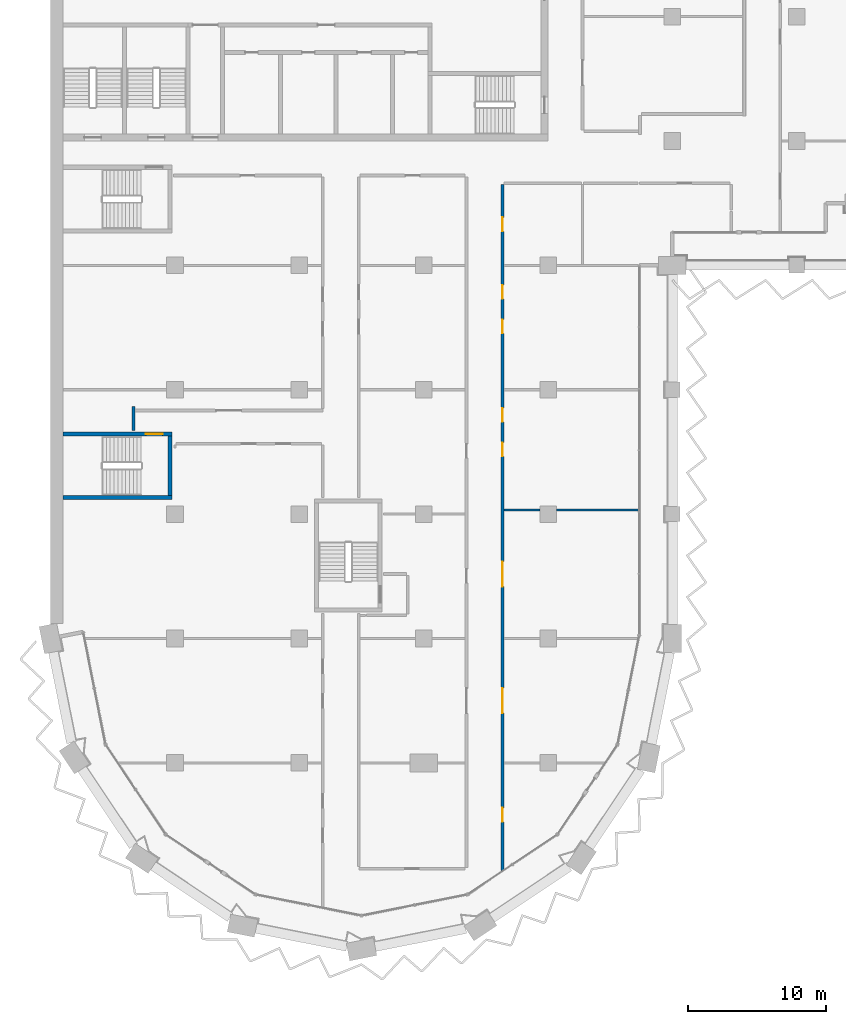
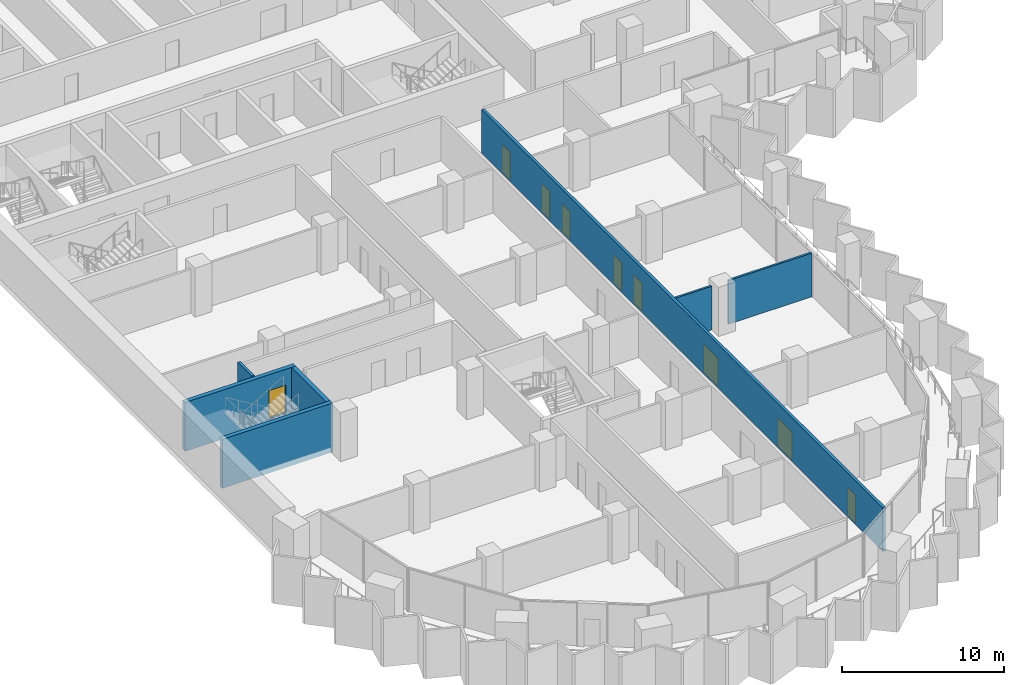
# One storey, part 10 of 23: 9 doors, 7 walls, 9 openings.
"""IFC4 building model written with IfcOpenShell, lengths in metres."""

from ifc_helpers import new_model, si_unit, direction, frame, frame_2d, origin, place, context, subcontext, project, spatial, rectangle, extrude, material, layer, layer_set, type_object, element, fill, save


model = new_model("IFC4")

# Units and contexts
model_context = context("Model", 3, precision=1e-05, world=origin(), true_north=direction((0.0, 1.0)))
body_context = subcontext(model_context, "Body", "Model", "MODEL_VIEW")
ifc_project = project(units=[si_unit("LENGTHUNIT", "METRE"), si_unit("AREAUNIT", "SQUARE_METRE"), si_unit("VOLUMEUNIT", "CUBIC_METRE"), si_unit("PLANEANGLEUNIT", "RADIAN"), si_unit("MASSUNIT", "GRAM", prefix="KILO")], contexts=[model_context])

# Site, building, storey
site_placement = place(None, origin())
site = spatial("IfcSite", under=ifc_project, at=site_placement, CompositionType="ELEMENT")
building_placement = place(site_placement, origin())
building = spatial("IfcBuilding", under=site, at=building_placement, Name="Hunhe Ridgeline Campus", CompositionType="ELEMENT")
storey_placement = place(building_placement, frame((0.0, 0.0, 144.89990234375)))
storey = spatial("IfcBuildingStorey", under=building, at=storey_placement, Name="L36", CompositionType="ELEMENT", Elevation=144.89990234375)

# Wall
ifc_material_1 = material(Name="Gypsum board partition")
ifc_layer_1 = layer(ifc_material_1, 0.199951171875)
ifc_layer_set_1 = layer_set([ifc_layer_1], Name="Corridor partition 200 gypsum board on steel studs")
wall_type_1 = type_object("IfcWallType", Name="Corridor partition 200 gypsum board on steel studs", PredefinedType="PARTITIONING", material=ifc_layer_set_1)
wall_1_placement = place(storey_placement, frame((6.0, 42.053955078125, 0.0), z_axis=(0.0, 0.0, 1.0), x_axis=(0.0, 1.0, 0.0)))
element("IfcWall", 1, at=wall_1_placement, inside=storey, type_object=wall_type_1, Name="F-L36-wall-059", PredefinedType="PARTITIONING", context=body_context, shape_type="SweptSolid", body=[
    extrude(rectangle(XDim=1.74609375, YDim=0.199951171875, at=frame_2d((0.873046875, 0.0))), origin(), (0.0, 0.0, 1.0), 3.300048828125),
])

# Wall, openings, doors
wall_2_placement = place(storey_placement, frame((32.699951171875, 59.85107421875, 0.0), z_axis=(0.0, 0.0, 1.0), x_axis=(0.0, -1.0, 0.0)))
wall_2 = element("IfcWall", 2, at=wall_2_placement, inside=storey, type_object=wall_type_1, Name="F-L36-wall-068", PredefinedType="PARTITIONING", context=body_context, shape_type="SweptSolid", body=[
    extrude(rectangle(XDim=49.62353515625, YDim=0.199951171875, at=frame_2d((24.811767578125, 0.0))), origin(), (0.0, 0.0, 1.0), 3.300048828125),
])
opening_1_placement = place(wall_2_placement, frame((45.113525390625, 0.0, 0.0)))
opening_1 = element("IfcOpeningElement", 3, at=opening_1_placement, cuts=wall_2, Name="Opening RD1-003", PredefinedType="OPENING", context=body_context, shape_type="SweptSolid", body=[
    extrude(rectangle(XDim=1.0, YDim=2.10009765625, at=frame_2d((0.5, 1.050048828125))), frame((0.0, 0.10009765625, 0.0), z_axis=(0.0, -1.0, 0.0), x_axis=(1.0, 0.0, 0.0)), (0.0, 0.0, 1.0), 0.199951171875),
])
opening_2_placement = place(wall_2_placement, frame((36.443115234375, 0.0, 0.0)))
opening_2 = element("IfcOpeningElement", 4, at=opening_2_placement, cuts=wall_2, Name="Opening RD2-007", PredefinedType="OPENING", context=body_context, shape_type="SweptSolid", body=[
    extrude(rectangle(XDim=1.800048828125, YDim=2.10009765625, at=frame_2d((0.89990234375, 1.050048828125))), frame((0.0, 0.10009765625, 0.0), z_axis=(0.0, -1.0, 0.0), x_axis=(1.0, 0.0, 0.0)), (0.0, 0.0, 1.0), 0.199951171875),
])
opening_3_placement = place(wall_2_placement, frame((27.295166015625, 0.0, 0.0)))
opening_3 = element("IfcOpeningElement", 5, at=opening_3_placement, cuts=wall_2, Name="Opening RD2-010", PredefinedType="OPENING", context=body_context, shape_type="SweptSolid", body=[
    extrude(rectangle(XDim=1.800048828125, YDim=2.10009765625, at=frame_2d((0.89990234375, 1.050048828125))), frame((0.0, 0.10009765625, 0.0), z_axis=(0.0, -1.0, 0.0), x_axis=(1.0, 0.0, 0.0)), (0.0, 0.0, 1.0), 0.199951171875),
])
opening_4_placement = place(wall_2_placement, frame((18.672607421875, 0.0, 0.0)))
opening_4 = element("IfcOpeningElement", 6, at=opening_4_placement, cuts=wall_2, Name="Opening RD1-012", PredefinedType="OPENING", context=body_context, shape_type="SweptSolid", body=[
    extrude(rectangle(XDim=1.0, YDim=2.10009765625, at=frame_2d((0.5, 1.050048828125))), frame((0.0, 0.10009765625, 0.0), z_axis=(0.0, -1.0, 0.0), x_axis=(1.0, 0.0, 0.0)), (0.0, 0.0, 1.0), 0.199951171875),
])
opening_5_placement = place(wall_2_placement, frame((16.172607421875, 0.0, 0.0)))
opening_5 = element("IfcOpeningElement", 7, at=opening_5_placement, cuts=wall_2, Name="Opening RD1-015", PredefinedType="OPENING", context=body_context, shape_type="SweptSolid", body=[
    extrude(rectangle(XDim=1.0, YDim=2.10009765625, at=frame_2d((0.5, 1.050048828125))), frame((0.0, 0.10009765625, 0.0), z_axis=(0.0, -1.0, 0.0), x_axis=(1.0, 0.0, 0.0)), (0.0, 0.0, 1.0), 0.199951171875),
])
opening_6_placement = place(wall_2_placement, frame((9.775634765625, 0.0, 0.0)))
opening_6 = element("IfcOpeningElement", 8, at=opening_6_placement, cuts=wall_2, Name="Opening RD1-019", PredefinedType="OPENING", context=body_context, shape_type="SweptSolid", body=[
    extrude(rectangle(XDim=1.0, YDim=2.10009765625, at=frame_2d((0.5, 1.050048828125))), frame((0.0, 0.10009765625, 0.0), z_axis=(0.0, -1.0, 0.0), x_axis=(1.0, 0.0, 0.0)), (0.0, 0.0, 1.0), 0.199951171875),
])
opening_7_placement = place(wall_2_placement, frame((7.275634765625, 0.0, 0.0)))
opening_7 = element("IfcOpeningElement", 9, at=opening_7_placement, cuts=wall_2, Name="Opening RD1-022", PredefinedType="OPENING", context=body_context, shape_type="SweptSolid", body=[
    extrude(rectangle(XDim=1.0, YDim=2.10009765625, at=frame_2d((0.5, 1.050048828125))), frame((0.0, 0.10009765625, 0.0), z_axis=(0.0, -1.0, 0.0), x_axis=(1.0, 0.0, 0.0)), (0.0, 0.0, 1.0), 0.199951171875),
])
opening_8_placement = place(wall_2_placement, frame((2.382080078125, 0.0, 0.0)))
opening_8 = element("IfcOpeningElement", 10, at=opening_8_placement, cuts=wall_2, Name="Opening RD1-023", PredefinedType="OPENING", context=body_context, shape_type="SweptSolid", body=[
    extrude(rectangle(XDim=1.0, YDim=2.10009765625, at=frame_2d((0.5, 1.050048828125))), frame((0.0, 0.10009765625, 0.0), z_axis=(0.0, -1.0, 0.0), x_axis=(1.0, 0.0, 0.0)), (0.0, 0.0, 1.0), 0.199951171875),
])
ifc_material_2 = material(Name="Timber door leaf", Category="wood")
door_type_1 = type_object("IfcDoorType", Name="Double fire door 1800x2100 timber FD60", OperationType="DOUBLE_DOOR_SINGLE_SWING", PredefinedType="DOOR", material=ifc_material_2)
door_1_placement = place(opening_2_placement, origin())
door_1 = element("IfcDoor", 11, at=door_1_placement, inside=storey, type_object=door_type_1, Name="F-L36-door-007", OperationType="DOUBLE_DOOR_SINGLE_SWING", OverallHeight=2.10009765625, OverallWidth=1.800048828125, PredefinedType="DOOR", context=body_context, shape_type="SweptSolid", body=[
    extrude(rectangle(XDim=1.800048828125, YDim=2.10009765625, at=frame_2d((0.89990234375, 1.050048828125))), frame((0.0, 0.02490234375, 0.0), z_axis=(0.0, -1.0, 0.0), x_axis=(1.0, 0.0, 0.0)), (0.0, 0.0, 1.0), 0.050048828125),
])
fill(opening_2, door_1)
door_2_placement = place(opening_3_placement, origin())
door_2 = element("IfcDoor", 12, at=door_2_placement, inside=storey, type_object=door_type_1, Name="F-L36-door-010", OperationType="DOUBLE_DOOR_SINGLE_SWING", OverallHeight=2.10009765625, OverallWidth=1.800048828125, PredefinedType="DOOR", context=body_context, shape_type="SweptSolid", body=[
    extrude(rectangle(XDim=1.800048828125, YDim=2.10009765625, at=frame_2d((0.89990234375, 1.050048828125))), frame((0.0, 0.02490234375, 0.0), z_axis=(0.0, -1.0, 0.0), x_axis=(1.0, 0.0, 0.0)), (0.0, 0.0, 1.0), 0.050048828125),
])
fill(opening_3, door_2)
door_type_2 = type_object("IfcDoorType", Name="Single fire door 1000x2100 timber FD60", OperationType="NOTDEFINED", PredefinedType="DOOR", material=ifc_material_2)
door_3_placement = place(opening_1_placement, origin())
door_3 = element("IfcDoor", 13, at=door_3_placement, inside=storey, type_object=door_type_2, Name="F-L36-door-003", OperationType="SINGLE_SWING_RIGHT", OverallHeight=2.10009765625, OverallWidth=1.0, PredefinedType="DOOR", context=body_context, shape_type="SweptSolid", body=[
    extrude(rectangle(XDim=1.0, YDim=2.10009765625, at=frame_2d((0.5, 1.050048828125))), frame((0.0, 0.02490234375, 0.0), z_axis=(0.0, -1.0, 0.0), x_axis=(1.0, 0.0, 0.0)), (0.0, 0.0, 1.0), 0.050048828125),
])
fill(opening_1, door_3)
door_4_placement = place(opening_4_placement, frame((1.0, 0.0, 0.0), z_axis=(0.0, 0.0, 1.0), x_axis=(-1.0, 0.0, 0.0)))
door_4 = element("IfcDoor", 14, at=door_4_placement, inside=storey, type_object=door_type_2, Name="F-L36-door-012", OperationType="SINGLE_SWING_RIGHT", OverallHeight=2.10009765625, OverallWidth=1.0, PredefinedType="DOOR", context=body_context, shape_type="SweptSolid", body=[
    extrude(rectangle(XDim=1.0, YDim=2.10009765625, at=frame_2d((0.5, 1.050048828125))), frame((0.0, 0.02490234375, 0.0), z_axis=(0.0, -1.0, 0.0), x_axis=(1.0, 0.0, 0.0)), (0.0, 0.0, 1.0), 0.050048828125),
])
fill(opening_4, door_4)
door_5_placement = place(opening_5_placement, frame((1.0, 0.0, 0.0), z_axis=(0.0, 0.0, 1.0), x_axis=(-1.0, 0.0, 0.0)))
door_5 = element("IfcDoor", 15, at=door_5_placement, inside=storey, type_object=door_type_2, Name="F-L36-door-015", OperationType="SINGLE_SWING_RIGHT", OverallHeight=2.10009765625, OverallWidth=1.0, PredefinedType="DOOR", context=body_context, shape_type="SweptSolid", body=[
    extrude(rectangle(XDim=1.0, YDim=2.10009765625, at=frame_2d((0.5, 1.050048828125))), frame((0.0, 0.02490234375, 0.0), z_axis=(0.0, -1.0, 0.0), x_axis=(1.0, 0.0, 0.0)), (0.0, 0.0, 1.0), 0.050048828125),
])
fill(opening_5, door_5)
door_6_placement = place(opening_6_placement, frame((1.0, 0.0, 0.0), z_axis=(0.0, 0.0, 1.0), x_axis=(-1.0, 0.0, 0.0)))
door_6 = element("IfcDoor", 16, at=door_6_placement, inside=storey, type_object=door_type_2, Name="F-L36-door-019", OperationType="SINGLE_SWING_LEFT", OverallHeight=2.10009765625, OverallWidth=1.0, PredefinedType="DOOR", context=body_context, shape_type="SweptSolid", body=[
    extrude(rectangle(XDim=1.0, YDim=2.10009765625, at=frame_2d((0.5, 1.050048828125))), frame((0.0, 0.02490234375, 0.0), z_axis=(0.0, -1.0, 0.0), x_axis=(1.0, 0.0, 0.0)), (0.0, 0.0, 1.0), 0.050048828125),
])
fill(opening_6, door_6)
door_7_placement = place(opening_7_placement, frame((1.0, 0.0, 0.0), z_axis=(0.0, 0.0, 1.0), x_axis=(-1.0, 0.0, 0.0)))
door_7 = element("IfcDoor", 17, at=door_7_placement, inside=storey, type_object=door_type_2, Name="F-L36-door-022", OperationType="SINGLE_SWING_RIGHT", OverallHeight=2.10009765625, OverallWidth=1.0, PredefinedType="DOOR", context=body_context, shape_type="SweptSolid", body=[
    extrude(rectangle(XDim=1.0, YDim=2.10009765625, at=frame_2d((0.5, 1.050048828125))), frame((0.0, 0.02490234375, 0.0), z_axis=(0.0, -1.0, 0.0), x_axis=(1.0, 0.0, 0.0)), (0.0, 0.0, 1.0), 0.050048828125),
])
fill(opening_7, door_7)
door_8_placement = place(opening_8_placement, origin())
door_8 = element("IfcDoor", 18, at=door_8_placement, inside=storey, type_object=door_type_2, Name="F-L36-door-023", OperationType="SINGLE_SWING_LEFT", OverallHeight=2.10009765625, OverallWidth=1.0, PredefinedType="DOOR", context=body_context, shape_type="SweptSolid", body=[
    extrude(rectangle(XDim=1.0, YDim=2.10009765625, at=frame_2d((0.5, 1.050048828125))), frame((0.0, 0.02490234375, 0.0), z_axis=(0.0, -1.0, 0.0), x_axis=(1.0, 0.0, 0.0)), (0.0, 0.0, 1.0), 0.050048828125),
])
fill(opening_8, door_8)

# Walls
ifc_layer_2 = layer(ifc_material_1, 0.14990234375)
ifc_layer_set_2 = layer_set([ifc_layer_2], Name="Room partition 150 gypsum board on steel studs")
wall_type_2 = type_object("IfcWallType", Name="Room partition 150 gypsum board on steel studs", PredefinedType="PARTITIONING", material=ifc_layer_set_2)
wall_3_placement = place(storey_placement, frame((32.800048828125, 36.300048828125, 0.0), z_axis=(0.0, 0.0, 1.0), x_axis=(1.0, 0.0, 0.0)))
element("IfcWall", 19, at=wall_3_placement, inside=storey, type_object=wall_type_2, Name="F-L36-wall-021", PredefinedType="PARTITIONING", context=body_context, shape_type="SweptSolid", body=[
    extrude(rectangle(XDim=2.599853515625, YDim=0.14990234375, at=frame_2d((1.2998046875, 0.0))), origin(), (0.0, 0.0, 1.0), 3.300048828125),
])
wall_4_placement = place(storey_placement, frame((36.60009765625, 36.300048828125, 0.0), z_axis=(0.0, 0.0, 1.0), x_axis=(1.0, 0.0, 0.0)))
element("IfcWall", 20, at=wall_4_placement, inside=storey, type_object=wall_type_2, Name="F-L36-wall-022", PredefinedType="PARTITIONING", context=body_context, shape_type="SweptSolid", body=[
    extrude(rectangle(XDim=5.94482421875, YDim=0.14990234375, at=frame_2d((2.972412109375, 0.0))), origin(), (0.0, 0.0, 1.0), 3.300048828125),
])
ifc_material_3 = material(Name="Concrete C70", Category="concrete")
ifc_layer_3 = layer(ifc_material_3, 0.300048828125)
ifc_layer_set_3 = layer_set([ifc_layer_3], Name="Stair wall 300 reinforced concrete C70")
wall_type_3 = type_object("IfcWallType", Name="Stair wall 300 reinforced concrete C70", PredefinedType="SOLIDWALL", material=ifc_layer_set_3)
wall_5_placement = place(storey_placement, frame((0.89990234375, 37.199951171875, -0.39990234375), z_axis=(0.0, 0.0, 1.0), x_axis=(1.0, 0.0, 0.0)))
element("IfcWall", 21, at=wall_5_placement, inside=storey, type_object=wall_type_3, Name="L36 core wall 3", PredefinedType="SOLIDWALL", context=body_context, shape_type="SweptSolid", body=[
    extrude(rectangle(XDim=7.900146484375, YDim=0.300048828125, at=frame_2d((3.9501953125, 0.0))), origin(), (0.0, 0.0, 1.0), 3.699951171875),
])

# Wall, opening, door
wall_6_placement = place(storey_placement, frame((0.89990234375, 41.800048828125, -0.39990234375), z_axis=(0.0, 0.0, 1.0), x_axis=(1.0, 0.0, 0.0)))
wall_6 = element("IfcWall", 22, at=wall_6_placement, inside=storey, type_object=wall_type_3, Name="L36 core wall 4", PredefinedType="SOLIDWALL", context=body_context, shape_type="SweptSolid", body=[
    extrude(rectangle(XDim=7.900146484375, YDim=0.300048828125, at=frame_2d((3.9501953125, 0.0))), origin(), (0.0, 0.0, 1.0), 3.699951171875),
])
opening_9_placement = place(wall_6_placement, frame((6.0, 0.0, 0.39990234375)))
opening_9 = element("IfcOpeningElement", 23, at=opening_9_placement, cuts=wall_6, Name="Opening CD21", PredefinedType="OPENING", context=body_context, shape_type="SweptSolid", body=[
    extrude(rectangle(XDim=1.199951171875, YDim=2.10009765625, at=frame_2d((0.60009765625, 1.050048828125))), frame((0.0, 0.14990234375, 0.0), z_axis=(0.0, -1.0, 0.0), x_axis=(1.0, 0.0, 0.0)), (0.0, 0.0, 1.0), 0.300048828125),
])
ifc_material_4 = material(Name="Hollow metal fire door leaf")
door_type_3 = type_object("IfcDoorType", Name="Stair door 1200x2100 FD60", OperationType="SINGLE_SWING_LEFT", PredefinedType="DOOR", material=ifc_material_4)
door_9_placement = place(opening_9_placement, origin())
door_9 = element("IfcDoor", 24, at=door_9_placement, inside=storey, type_object=door_type_3, Name="L36 door W1", OperationType="SINGLE_SWING_LEFT", OverallHeight=2.10009765625, OverallWidth=1.199951171875, PredefinedType="DOOR", context=body_context, shape_type="SweptSolid", body=[
    extrude(rectangle(XDim=1.199951171875, YDim=2.10009765625, at=frame_2d((0.60009765625, 1.050048828125))), frame((0.0, 0.02490234375, 0.0), z_axis=(0.0, -1.0, 0.0), x_axis=(1.0, 0.0, 0.0)), (0.0, 0.0, 1.0), 0.050048828125),
])
fill(opening_9, door_9)

# Wall
wall_7_placement = place(storey_placement, frame((8.64990234375, 37.35009765625, -0.39990234375), z_axis=(0.0, 0.0, 1.0), x_axis=(0.0, 1.0, 0.0)))
element("IfcWall", 25, at=wall_7_placement, inside=storey, type_object=wall_type_3, Name="L36 core wall 35", PredefinedType="SOLIDWALL", context=body_context, shape_type="SweptSolid", body=[
    extrude(rectangle(XDim=4.2998046875, YDim=0.300048828125, at=frame_2d((2.14990234375, 0.0))), origin(), (0.0, 0.0, 1.0), 3.699951171875),
])

save(model, "model.ifc")
